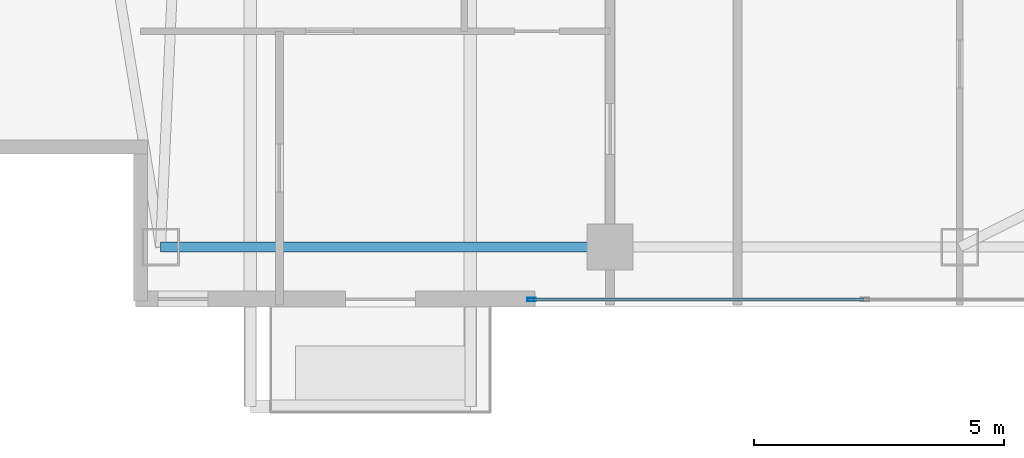
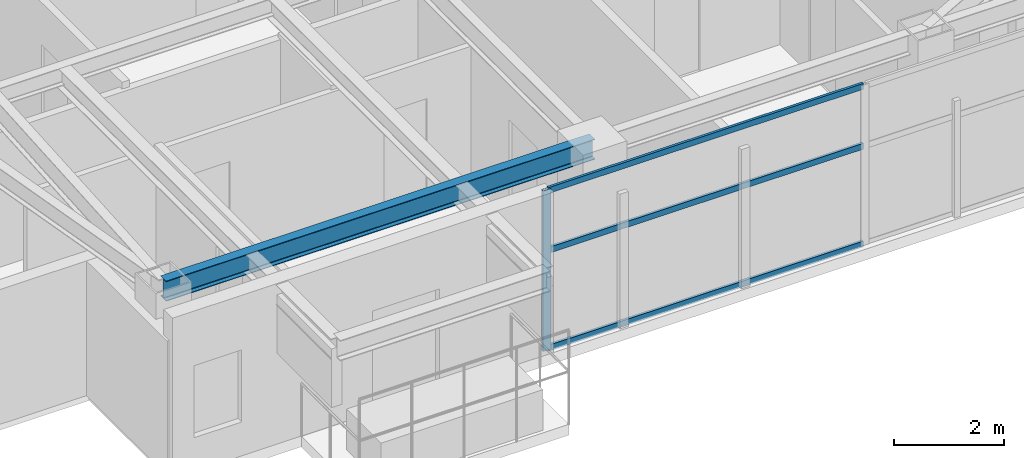
# One storey, part 3 of 27: 4 members, 1 beam, 1 element without a shape of its own.
"""IFC4 building model written with IfcOpenShell, lengths in metres."""

from ifc_helpers import new_model, si_unit, direction, frame, origin, origin_2d, place, context, subcontext, project, spatial, hollow_rectangle, i_section, extrude, material, layer, layer_set, material_profile, profile_set, type_object, element, aggregate, save


model = new_model("IFC4")

# Units and contexts
model_context = context("Model", 3, precision=1e-05, world=origin(), true_north=direction((0.0, 1.0)))
body_context = subcontext(model_context, "Body", "Model", "MODEL_VIEW")
ifc_project = project(units=[si_unit("LENGTHUNIT", "METRE"), si_unit("AREAUNIT", "SQUARE_METRE"), si_unit("VOLUMEUNIT", "CUBIC_METRE"), si_unit("PLANEANGLEUNIT", "RADIAN"), si_unit("MASSUNIT", "GRAM", prefix="KILO")], contexts=[model_context])

# Site, building, storey
site_placement = place(None, origin())
site = spatial("IfcSite", under=ifc_project, at=site_placement, CompositionType="ELEMENT")
building_placement = place(site_placement, origin())
building = spatial("IfcBuilding", under=site, at=building_placement, Name="Calvorn Quay Hotel", CompositionType="ELEMENT")
storey_placement = place(building_placement, frame((0.0, 0.0, 298.699951171875)))
storey = spatial("IfcBuildingStorey", under=building, at=storey_placement, Name="L74", CompositionType="ELEMENT", Elevation=298.699951171875)

# Beam
ifc_material_1 = material(Name="Steel Q355B", Category="steel")
ifc_material_profile_1 = material_profile(ifc_material_1, i_section(OverallWidth=0.199951171875, OverallDepth=0.449951171875, WebThickness=0.009033203125, FlangeThickness=0.013916015625, FilletRadius=0.01611328125, at=origin_2d()), Name="HN450x200x9x14")
ifc_profile_set_1 = profile_set([ifc_material_profile_1], Name="Steel Q355B")
beam_type = type_object("IfcBeamType", Name="BM-SPANDREL-Z3", PredefinedType="SPANDREL", material=ifc_profile_set_1)
beam_placement = place(storey_placement, frame((3.60009765625, 3.60009765625, 3.31494140625), z_axis=(1.0, 0.0, 0.0), x_axis=(0.0, 1.0, 0.0)))
element("IfcBeam", 1, at=beam_placement, inside=storey, type_object=beam_type, Name="Beam BSP-L74-S1", PredefinedType="SPANDREL", context=body_context, shape_type="SweptSolid", body=[
    extrude(i_section(OverallWidth=0.199951171875, OverallDepth=0.449951171875, WebThickness=0.009033203125, FlangeThickness=0.013916015625, FilletRadius=0.01611328125, at=origin_2d()), origin(), (0.0, 0.0, 1.0), 9.0),
])

# Curtain wall, members
ifc_material_2 = material(Name="Champagne Bronze Anodised Aluminium and Low-E Glass", Category="aluminium")
ifc_layer = layer(ifc_material_2, 0.219970703125)
ifc_layer_set = layer_set([ifc_layer], Name="CW-SYS-Z4")
curtain_wall_type = type_object("IfcCurtainWallType", Name="CW-SYS-Z4", PredefinedType="NOTDEFINED", material=ifc_layer_set)
curtain_wall_placement = place(storey_placement, origin())
curtain_wall = element("IfcCurtainWall", 2, at=curtain_wall_placement, inside=storey, type_object=curtain_wall_type, Name="Tower South Waterfront Curtain Wall (L74)", PredefinedType="NOTDEFINED")
ifc_material_3 = material(Name="Champagne Bronze Anodised Aluminium 6063-T6", Category="aluminium")
ifc_material_profile_2 = material_profile(ifc_material_3, hollow_rectangle(XDim=0.06494140625, YDim=0.169921875, WallThickness=0.00341796875, at=origin_2d()), Name="ALU-M170x65x3.5")
ifc_profile_set_2 = profile_set([ifc_material_profile_2], Name="Champagne Bronze Anodised Aluminium 6063-T6")
member_type_1 = type_object("IfcMemberType", Name="CW-SYS-Z4-MUL", PredefinedType="MULLION", material=ifc_profile_set_2)
member_1_placement = place(storey_placement, frame((11.030029296875, 2.550048828125, 0.0), z_axis=(0.0, 0.0, 1.0), x_axis=(0.0, 1.0, 0.0)))
member_1 = element("IfcMember", 3, at=member_1_placement, type_object=member_type_1, Name="CW-L74-S mullion 1", PredefinedType="MULLION", context=body_context, shape_type="SweptSolid", body=[
    extrude(hollow_rectangle(XDim=0.06494140625, YDim=0.169921875, WallThickness=0.00341796875, at=origin_2d()), origin(), (0.0, 0.0, 1.0), 3.56005859375),
])
ifc_material_4 = material(Name="Champagne Bronze Anodised Aluminium 6063-T6", Category="aluminium")
ifc_material_profile_3 = material_profile(ifc_material_4, hollow_rectangle(XDim=0.054931640625, YDim=0.1298828125, WallThickness=0.003173828125, at=origin_2d()), Name="ALU-T130x55x3.2")
ifc_profile_set_3 = profile_set([ifc_material_profile_3], Name="Champagne Bronze Anodised Aluminium 6063-T6")
member_type_2 = type_object("IfcMemberType", Name="CW-SYS-Z4-TRN", PredefinedType="USERDEFINED", material=ifc_profile_set_3)
member_2_placement = place(storey_placement, frame((11.06005859375, 2.550048828125, 0.030029296875), z_axis=(1.0, 0.0, 0.0), x_axis=(0.0, 1.0, 0.0)))
member_2 = element("IfcMember", 4, at=member_2_placement, type_object=member_type_2, Name="CW-L74-S transom 1.1", ObjectType="TRANSOM", PredefinedType="USERDEFINED", context=body_context, shape_type="SweptSolid", body=[
    extrude(hollow_rectangle(XDim=0.054931640625, YDim=0.1298828125, WallThickness=0.003173828125, at=origin_2d()), origin(), (0.0, 0.0, 1.0), 6.60986328125),
])
member_3_placement = place(storey_placement, frame((11.06005859375, 2.550048828125, 2.199951171875), z_axis=(1.0, 0.0, 0.0), x_axis=(0.0, 1.0, 0.0)))
member_3 = element("IfcMember", 5, at=member_3_placement, type_object=member_type_2, Name="CW-L74-S transom 1.2", ObjectType="TRANSOM", PredefinedType="USERDEFINED", context=body_context, shape_type="SweptSolid", body=[
    extrude(hollow_rectangle(XDim=0.054931640625, YDim=0.1298828125, WallThickness=0.003173828125, at=origin_2d()), origin(), (0.0, 0.0, 1.0), 6.60986328125),
])
member_4_placement = place(storey_placement, frame((11.06005859375, 2.550048828125, 3.530029296875), z_axis=(1.0, 0.0, 0.0), x_axis=(0.0, 1.0, 0.0)))
member_4 = element("IfcMember", 6, at=member_4_placement, type_object=member_type_2, Name="CW-L74-S transom 1.3", ObjectType="TRANSOM", PredefinedType="USERDEFINED", context=body_context, shape_type="SweptSolid", body=[
    extrude(hollow_rectangle(XDim=0.054931640625, YDim=0.1298828125, WallThickness=0.003173828125, at=origin_2d()), origin(), (0.0, 0.0, 1.0), 6.60986328125),
])
aggregate(curtain_wall, [member_1, member_2, member_3, member_4])

save(model, "model.ifc")
